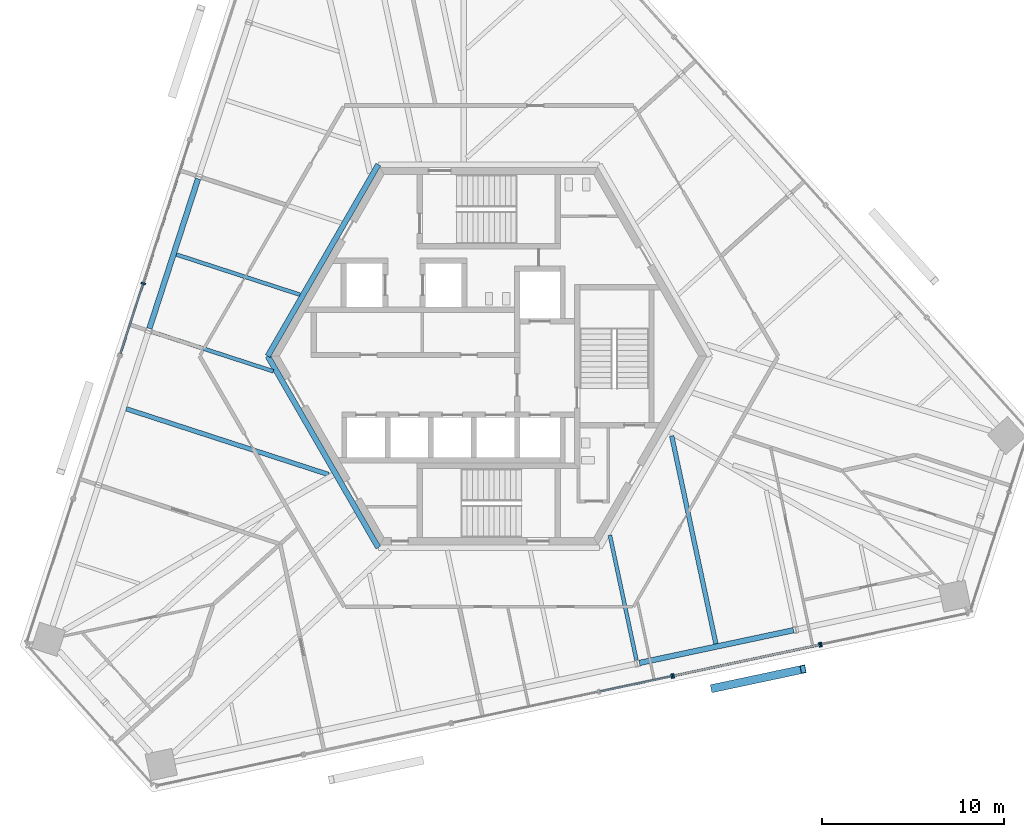
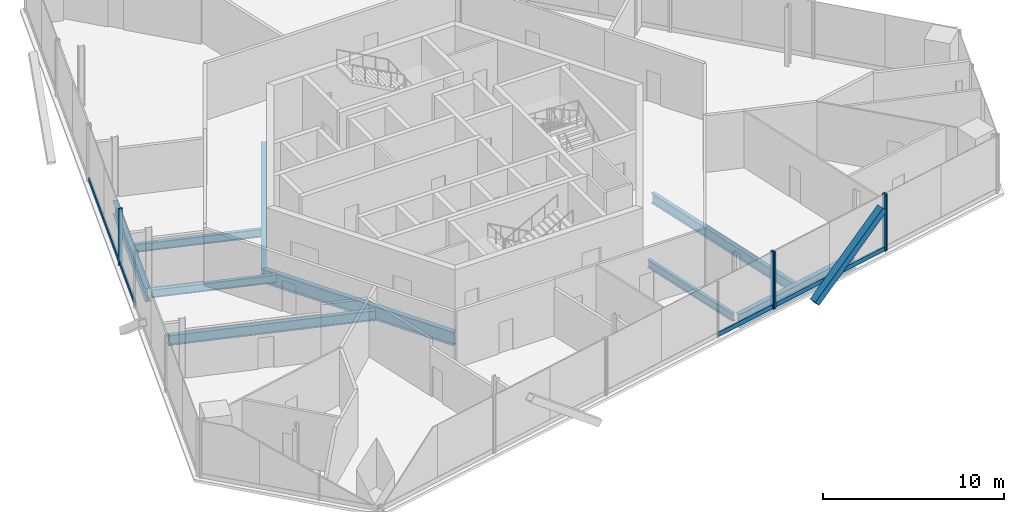
# One storey, part 5 of 14: 10 members, 9 beams, 4 elements without a shape of their own.
"""IFC4 building model written with IfcOpenShell, lengths in metres."""

from ifc_helpers import new_model, si_unit, direction, frame, origin, origin_2d, place, context, subcontext, project, spatial, rectangle, hollow_rectangle, i_section, extrude, source, transform, mapped, material, material_profile, profile_set, type_object, element, aggregate, save


model = new_model("IFC4")

# Units and contexts
model_context = context("Model", 3, precision=1e-05, world=origin(), true_north=direction((0.0, 1.0)))
body_context = subcontext(model_context, "Body", "Model", "MODEL_VIEW")
ifc_project = project(units=[si_unit("LENGTHUNIT", "METRE"), si_unit("AREAUNIT", "SQUARE_METRE"), si_unit("VOLUMEUNIT", "CUBIC_METRE"), si_unit("PLANEANGLEUNIT", "RADIAN"), si_unit("MASSUNIT", "GRAM", prefix="KILO")], contexts=[model_context])

# Site, building, storey
site_placement = place(None, origin())
site = spatial("IfcSite", under=ifc_project, at=site_placement, CompositionType="ELEMENT")
building_placement = place(site_placement, origin())
building = spatial("IfcBuilding", under=site, at=building_placement, Name="Triune Harvest Tower", CompositionType="ELEMENT")
storey_placement = place(building_placement, frame((0.0, 0.0, 284.699951171875)))
storey = spatial("IfcBuildingStorey", under=building, at=storey_placement, Name="L75", CompositionType="ELEMENT", Elevation=284.699951171875)

# Beams
ifc_material_1 = material(Name="Steel ASTM A992 Gr 50", Category="steel")
ifc_material_profile_1 = material_profile(ifc_material_1, i_section(OverallWidth=0.3046875, OverallDepth=0.914306640625, WebThickness=0.0166015625, FlangeThickness=0.02587890625, at=origin_2d()), Name="W36x160")
ifc_profile_set_1 = profile_set([ifc_material_profile_1], Name="Steel ASTM A992 Gr 50")
beam_type_1 = type_object("IfcBeamType", Name="CG-1 Core ring girder W36x160", PredefinedType="BEAM", material=ifc_profile_set_1)
shared_shape_1 = source(origin(), body_context, "Body", "SweptSolid", [
    extrude(i_section(OverallWidth=0.3046875, OverallDepth=0.914306640625, WebThickness=0.0166015625, FlangeThickness=0.02587890625, at=origin_2d()), origin(), (0.0, 0.0, 1.0), 12.176025390625),
])
for number, where, z_axis, x_axis, name in (
    (1, (-6.087890625, 10.544677734375, -0.63720703125), (-0.5000099932, -0.866019634131, 0.0), (0.866019634131, -0.5000099932, 0.0), "beam/L75/CG3"),
    (2, (-12.176025390625, 0.0, -0.63720703125), (0.5000099932, -0.866019634131, 0.0), (0.866019634131, 0.5000099932, 0.0), "beam/L75/CG4"),
):
    element("IfcBeam", number, at=place(storey_placement, frame(where, z_axis=z_axis, x_axis=x_axis)), inside=storey, type_object=beam_type_1, Name=name, PredefinedType="BEAM", context=body_context, shape_type="MappedRepresentation", body=[
        mapped(shared_shape_1, transform((0.0, 0.0, 0.0), scale=1.0)),
    ])
ifc_material_2 = material(Name="Steel ASTM A992 Gr 50", Category="steel")
ifc_material_profile_2 = material_profile(ifc_material_2, i_section(OverallWidth=0.3046875, OverallDepth=0.914306640625, WebThickness=0.0166015625, FlangeThickness=0.02587890625, at=origin_2d()), Name="W36x160")
ifc_profile_set_2 = profile_set([ifc_material_profile_2], Name="Steel ASTM A992 Gr 50")
beam_type_2 = type_object("IfcBeamType", Name="SB-1 Spandrel beam W36x160", PredefinedType="SPANDREL", material=ifc_profile_set_2)
shared_shape_2 = source(origin(), body_context, "Body", "SweptSolid", [
    extrude(i_section(OverallWidth=0.3046875, OverallDepth=0.914306640625, WebThickness=0.0166015625, FlangeThickness=0.02587890625, at=origin_2d()), origin(), (0.0, 0.0, 1.0), 8.67138671875),
])
for number, where, z_axis, x_axis, name in (
    (3, (-16.011474609375, 9.76123046875, -0.63720703125), (-0.309030684676, -0.951052067938, 0.0), (0.951052067938, -0.309030684676, 0.0), "beam/L75/SB10"),
    (4, (8.28515625, -16.890869140625, -0.63720703125), (0.978145539793, 0.207921386546, 0.0), (-0.207921386546, 0.978145539793, 0.0), "beam/L75/SB18"),
):
    element("IfcBeam", number, at=place(storey_placement, frame(where, z_axis=z_axis, x_axis=x_axis)), inside=storey, type_object=beam_type_2, Name=name, PredefinedType="SPANDREL", context=body_context, shape_type="MappedRepresentation", body=[
        mapped(shared_shape_2, transform((0.0, 0.0, 0.0), scale=1.0)),
    ])
ifc_material_3 = material(Name="Steel ASTM A992 Gr 50", Category="steel")
ifc_material_profile_3 = material_profile(ifc_material_3, i_section(OverallWidth=0.2099609375, OverallDepth=0.535888671875, WebThickness=0.010986328125, FlangeThickness=0.017333984375, at=origin_2d()), Name="W21x68")
ifc_profile_set_3 = profile_set([ifc_material_profile_3], Name="Steel ASTM A992 Gr 50")
beam_type_3 = type_object("IfcBeamType", Name="JT-2 Floor joist W21x68", PredefinedType="JOIST", material=ifc_profile_set_3)
shared_shape_3 = source(origin(), body_context, "Body", "SweptSolid", [
    extrude(i_section(OverallWidth=0.2099609375, OverallDepth=0.535888671875, WebThickness=0.010986328125, FlangeThickness=0.017333984375, at=origin_2d()), origin(), (0.0, 0.0, 1.0), 7.035400390625),
])
beam_1_placement = place(storey_placement, frame((8.122314453125, -16.7412109375, -0.447998046875), z_axis=(-0.207933876112, 0.978142884841, 0.0), x_axis=(-0.978142884841, -0.207933876112, 0.0)))
element("IfcBeam", 5, at=beam_1_placement, inside=storey, type_object=beam_type_3, Name="beam/L75/JT28", PredefinedType="JOIST", context=body_context, shape_type="MappedRepresentation", body=[
    mapped(shared_shape_3, transform((0.0, 0.0, 0.0), scale=1.0)),
])
ifc_material_4 = material(Name="Steel ASTM A992 Gr 50", Category="steel")
ifc_material_profile_4 = material_profile(ifc_material_4, i_section(OverallWidth=0.253662109375, OverallDepth=0.683349609375, WebThickness=0.012451171875, FlangeThickness=0.01904296875, at=origin_2d()), Name="W27x94")
ifc_profile_set_4 = profile_set([ifc_material_profile_4], Name="Steel ASTM A992 Gr 50")
beam_type_4 = type_object("IfcBeamType", Name="JT-4 Floor joist W27x94", PredefinedType="JOIST", material=ifc_profile_set_4)
shared_shape_4 = source(origin(), body_context, "Body", "SweptSolid", [
    extrude(i_section(OverallWidth=0.253662109375, OverallDepth=0.683349609375, WebThickness=0.012451171875, FlangeThickness=0.01904296875, at=origin_2d()), origin(), (0.0, 0.0, 1.0), 11.70068359375),
])
for number, where, z_axis, x_axis, name in (
    (6, (-19.96533203125, -2.900390625, -0.521484375), (0.951055533623, -0.309020018713, 0.0), (0.309020018713, 0.951055533623, 0.0), "beam/L75/JT18"),
    (7, (12.494384765625, -15.84033203125, -0.521484375), (-0.207902925765, 0.978149463762, 0.0), (-0.978149463762, -0.207902925765, 0.0), "beam/L75/JT29"),
):
    element("IfcBeam", number, at=place(storey_placement, frame(where, z_axis=z_axis, x_axis=x_axis)), inside=storey, type_object=beam_type_4, Name=name, PredefinedType="JOIST", context=body_context, shape_type="MappedRepresentation", body=[
        mapped(shared_shape_4, transform((0.0, 0.0, 0.0), scale=1.0)),
    ])
shared_shape_5 = source(origin(), body_context, "Body", "SweptSolid", [
    extrude(i_section(OverallWidth=0.2099609375, OverallDepth=0.535888671875, WebThickness=0.010986328125, FlangeThickness=0.017333984375, at=origin_2d()), origin(), (0.0, 0.0, 1.0), 7.15576171875),
])
beam_2_placement = place(storey_placement, frame((-17.206298828125, 5.5908203125, -0.447998046875), z_axis=(0.95104785783, -0.30904364112, 0.0), x_axis=(0.30904364112, 0.95104785783, 0.0)))
element("IfcBeam", 8, at=beam_2_placement, inside=storey, type_object=beam_type_3, Name="beam/L75/JT16", PredefinedType="JOIST", context=body_context, shape_type="MappedRepresentation", body=[
    mapped(shared_shape_5, transform((0.0, 0.0, 0.0), scale=1.0)),
])
shared_shape_6 = source(origin(), body_context, "Body", "SweptSolid", [
    extrude(i_section(OverallWidth=0.2099609375, OverallDepth=0.535888671875, WebThickness=0.010986328125, FlangeThickness=0.017333984375, at=origin_2d()), origin(), (0.0, 0.0, 1.0), 7.03515625),
])
beam_3_placement = place(storey_placement, frame((-18.559326171875, 1.336669921875, -0.447998046875), z_axis=(0.951053958357, -0.309024866787, 0.0), x_axis=(0.309024866787, 0.951053958357, 0.0)))
element("IfcBeam", 9, at=beam_3_placement, inside=storey, type_object=beam_type_3, Name="beam/L75/JT17", PredefinedType="JOIST", context=body_context, shape_type="MappedRepresentation", body=[
    mapped(shared_shape_6, transform((0.0, 0.0, 0.0), scale=1.0)),
])

# Member
ifc_material_5 = material(Name="Steel ASTM A572 Gr 50", Category="steel")
ifc_material_profile_5 = material_profile(ifc_material_5, hollow_rectangle(XDim=0.449951171875, YDim=0.449951171875, WallThickness=0.02490234375, at=origin_2d()), Name="Box 450x450x25")
ifc_profile_set_5 = profile_set([ifc_material_profile_5], Name="Steel ASTM A572 Gr 50")
member_type_1 = type_object("IfcMemberType", Name="BR-4 Brace Box 450x450x25", PredefinedType="BRACE", material=ifc_profile_set_5)
shared_shape_7 = source(origin(), body_context, "Body", "SweptSolid", [
    extrude(hollow_rectangle(XDim=0.449951171875, YDim=0.449951171875, WallThickness=0.02490234375, at=origin_2d()), origin(), (0.0, 0.0, 1.0), 6.4326171875),
])
member_1_placement = place(storey_placement, frame((12.36669921875, -18.283203125, 0.0), z_axis=(0.766029669925, 0.162823528909, 0.621841654465), x_axis=(-0.207910342213, 0.978147887388, 0.0)))
element("IfcMember", 10, at=member_1_placement, inside=storey, type_object=member_type_1, Name="brace/B7-F5/d1/8", PredefinedType="BRACE", context=body_context, shape_type="MappedRepresentation", body=[
    mapped(shared_shape_7, transform((0.0, 0.0, 0.0), scale=1.0)),
])

# Curtain wall, member
ifc_material_6 = material(Name="Aluminium bronze anodised", Category="aluminium")
curtain_wall_type_1 = type_object("IfcCurtainWallType", Name="CW-4 Sky lobby tall glazing wall", PredefinedType="NOTDEFINED", material=ifc_material_6)
curtain_wall_1_placement = place(storey_placement, origin())
curtain_wall_1 = element("IfcCurtainWall", 11, at=curtain_wall_1_placement, inside=storey, type_object=curtain_wall_type_1, Name="CW-4 B7-F3 L75 run 2001")
ifc_material_7 = material(Name="Aluminium bronze anodised", Category="aluminium")
ifc_material_profile_6 = material_profile(ifc_material_7, rectangle(XDim=0.25, YDim=0.090087890625, at=origin_2d()), Name="MU-4 mullion 90 x 250")
ifc_profile_set_6 = profile_set([ifc_material_profile_6], Name="Aluminium bronze anodised")
member_type_2 = type_object("IfcMemberType", Name="MU-4 mullion 90 x 250", PredefinedType="MULLION", material=ifc_profile_set_6)
shared_shape_8 = source(origin(), body_context, "Body", "SweptSolid", [
    extrude(rectangle(XDim=0.25, YDim=0.090087890625, at=origin_2d()), origin(), (0.0, 0.0, 1.0), 3.820068359375),
])
member_2_placement = place(storey_placement, frame((-19.02587890625, 3.9970703125, 0.0), z_axis=(0.0, 0.0, 1.0), x_axis=(0.951054284615, -0.309023862696, 0.0)))
member_2 = element("IfcMember", 12, at=member_2_placement, type_object=member_type_2, Name="CW-4 mullion B7-F3 2001.3", PredefinedType="MULLION", context=body_context, shape_type="MappedRepresentation", body=[
    mapped(shared_shape_8, transform((0.0, 0.0, 0.0), scale=1.0)),
])

curtain_wall_2_placement = place(storey_placement, origin())
curtain_wall_2 = element("IfcCurtainWall", 13, at=curtain_wall_2_placement, inside=storey, type_object=curtain_wall_type_1, Name="CW-4 B7-F5 L75 run 2001")
member_3_placement = place(storey_placement, frame((10.072265625, -17.620849609375, 0.0), z_axis=(0.0, 0.0, 1.0), x_axis=(-0.207917272266, 0.978146414344, 0.0)))
member_3 = element("IfcMember", 14, at=member_3_placement, type_object=member_type_2, Name="CW-4 mullion B7-F5 2001.4", PredefinedType="MULLION", context=body_context, shape_type="MappedRepresentation", body=[
    mapped(shared_shape_8, transform((0.0, 0.0, 0.0), scale=1.0)),
])

# Curtain wall, members
ifc_material_8 = material(Name="Aluminium bronze anodised", Category="aluminium")
curtain_wall_type_2 = type_object("IfcCurtainWallType", Name="CW-9 Sky lobby tall glazing wall with insulated spandrel infill", PredefinedType="NOTDEFINED", material=ifc_material_8)
curtain_wall_3_placement = place(storey_placement, origin())
curtain_wall_3 = element("IfcCurtainWall", 15, at=curtain_wall_3_placement, inside=storey, type_object=curtain_wall_type_2, Name="CW-9 B7-F5 L75 run 3001")
member_4_placement = place(storey_placement, frame((10.160400390625, -17.60205078125, 0.0), z_axis=(0.0, 0.0, 1.0), x_axis=(-0.207904370622, 0.978149156661, 0.0)))
member_4 = element("IfcMember", 16, at=member_4_placement, type_object=member_type_2, Name="CW-9 mullion B7-F5 3001.1", PredefinedType="MULLION", context=body_context, shape_type="MappedRepresentation", body=[
    mapped(shared_shape_8, transform((0.0, 0.0, 0.0), scale=1.0)),
])
member_5_placement = place(storey_placement, frame((18.202392578125, -15.892822265625, 0.0), z_axis=(0.0, 0.0, 1.0), x_axis=(-0.207904370622, 0.978149156661, 0.0)))
member_5 = element("IfcMember", 17, at=member_5_placement, type_object=member_type_2, Name="CW-9 mullion B7-F5 3001.3", PredefinedType="MULLION", context=body_context, shape_type="MappedRepresentation", body=[
    mapped(shared_shape_8, transform((0.0, 0.0, 0.0), scale=1.0)),
])

# Curtain wall, member
curtain_wall_4_placement = place(storey_placement, origin())
curtain_wall_4 = element("IfcCurtainWall", 18, at=curtain_wall_4_placement, inside=storey, type_object=curtain_wall_type_1, Name="CW-4 B7-F5 L75 run 4001")
member_6_placement = place(storey_placement, frame((18.290283203125, -15.8740234375, 0.0), z_axis=(0.0, 0.0, 1.0), x_axis=(-0.207912869922, 0.978147350107, 0.0)))
member_6 = element("IfcMember", 19, at=member_6_placement, type_object=member_type_2, Name="CW-4 mullion B7-F5 4001.1", PredefinedType="MULLION", context=body_context, shape_type="MappedRepresentation", body=[
    mapped(shared_shape_8, transform((0.0, 0.0, 0.0), scale=1.0)),
])
aggregate(curtain_wall_4, [member_6])

# Member
ifc_material_9 = material(Name="Aluminium bronze anodised", Category="aluminium")
ifc_material_profile_7 = material_profile(ifc_material_9, rectangle(XDim=0.10009765625, YDim=0.300048828125, at=origin_2d()), Name="TR-4 transom 100 x 300")
ifc_profile_set_7 = profile_set([ifc_material_profile_7], Name="Aluminium bronze anodised")
member_type_3 = type_object("IfcMemberType", Name="TR-4 transom 100 x 300", PredefinedType="USERDEFINED", material=ifc_profile_set_7)
shared_shape_9 = source(origin(), body_context, "Body", "SweptSolid", [
    extrude(rectangle(XDim=0.10009765625, YDim=0.300048828125, at=origin_2d()), origin(), (0.0, 0.0, 1.0), 8.131591796875),
])
member_7_placement = place(storey_placement, frame((10.204345703125, -17.5927734375, 0.150146484375), z_axis=(0.978146869379, 0.20791513154, 0.0), x_axis=(-0.20791513154, 0.978146869379, 0.0)))
member_7 = element("IfcMember", 20, at=member_7_placement, type_object=member_type_3, Name="CW-9 transom B7-F5 3001.1", ObjectType="TRANSOM", PredefinedType="USERDEFINED", context=body_context, shape_type="MappedRepresentation", body=[
    mapped(shared_shape_9, transform((0.0, 0.0, 0.0), scale=1.0)),
])

aggregate(curtain_wall_3, [member_4, member_5, member_7])

shared_shape_10 = source(origin(), body_context, "Body", "SweptSolid", [
    extrude(rectangle(XDim=0.10009765625, YDim=0.300048828125, at=origin_2d()), origin(), (0.0, 0.0, 1.0), 8.176513671875),
])
member_8_placement = place(storey_placement, frame((-16.4853515625, 11.816162109375, 0.150146484375), z_axis=(-0.309007753371, -0.95105951883, 0.0), x_axis=(0.95105951883, -0.309007753371, 0.0)))
member_8 = element("IfcMember", 21, at=member_8_placement, type_object=member_type_3, Name="CW-4 transom B7-F3 2001.1", ObjectType="TRANSOM", PredefinedType="USERDEFINED", context=body_context, shape_type="MappedRepresentation", body=[
    mapped(shared_shape_10, transform((0.0, 0.0, 0.0), scale=1.0)),
])

shared_shape_11 = source(origin(), body_context, "Body", "SweptSolid", [
    extrude(rectangle(XDim=0.10009765625, YDim=0.300048828125, at=origin_2d()), origin(), (0.0, 0.0, 1.0), 4.020751953125),
])
member_9_placement = place(storey_placement, frame((-19.039794921875, 3.954345703125, 0.150146484375), z_axis=(-0.309059986025, -0.951042546387, 0.0), x_axis=(0.951042546387, -0.309059986025, 0.0)))
member_9 = element("IfcMember", 22, at=member_9_placement, type_object=member_type_3, Name="CW-4 transom B7-F3 2001.2", ObjectType="TRANSOM", PredefinedType="USERDEFINED", context=body_context, shape_type="MappedRepresentation", body=[
    mapped(shared_shape_11, transform((0.0, 0.0, 0.0), scale=1.0)),
])

aggregate(curtain_wall_1, [member_2, member_8, member_9])

member_10_placement = place(storey_placement, frame((6.095458984375, -18.466064453125, 0.150146484375), z_axis=(0.978148510227, 0.207907411945, 0.0), x_axis=(-0.207907411945, 0.978148510227, 0.0)))
member_10 = element("IfcMember", 23, at=member_10_placement, type_object=member_type_3, Name="CW-4 transom B7-F5 2001.2", ObjectType="TRANSOM", PredefinedType="USERDEFINED", context=body_context, shape_type="MappedRepresentation", body=[
    mapped(shared_shape_11, transform((0.0, 0.0, 0.0), scale=1.0)),
])

aggregate(curtain_wall_2, [member_3, member_10])

save(model, "model.ifc")
